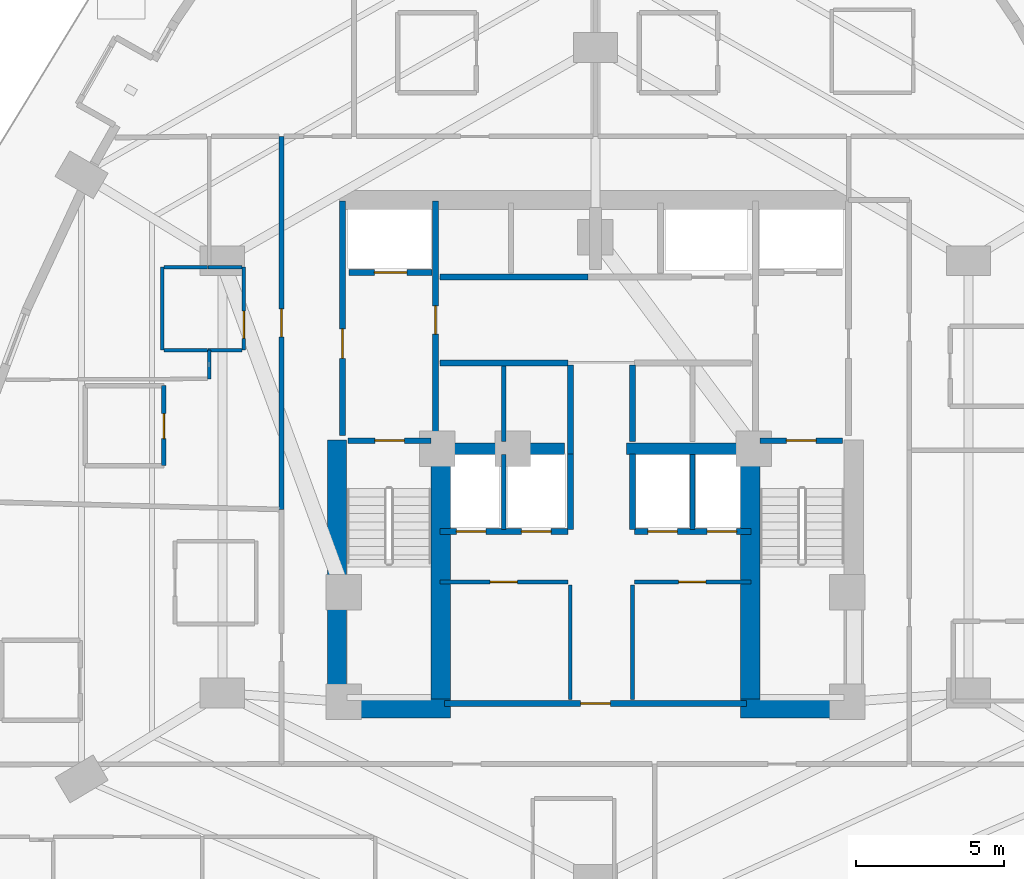
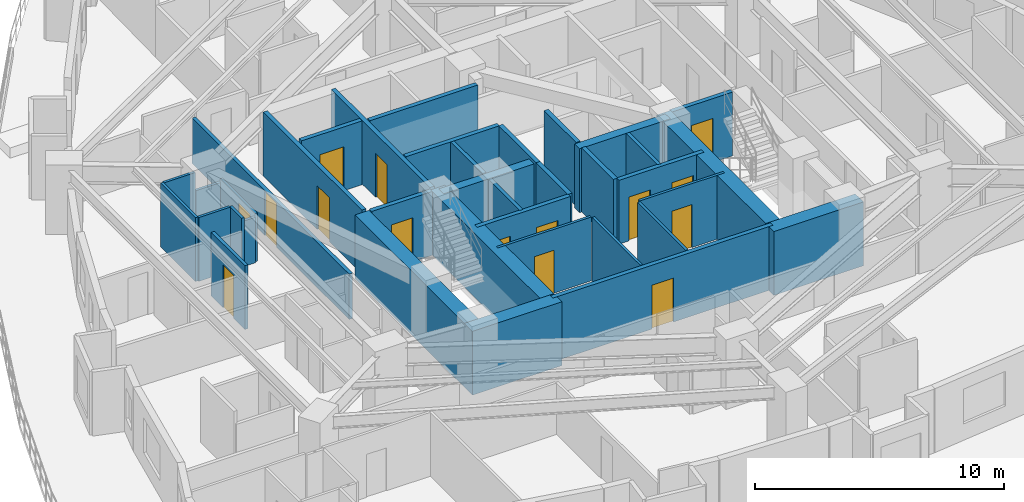
# One storey, part 10 of 17: 37 walls, 15 doors, 15 openings.
"""IFC4 building model written with IfcOpenShell, lengths in metres."""

from ifc_helpers import new_model, si_unit, direction, frame, frame_2d, origin, place, context, subcontext, project, spatial, rectangle, extrude, material, layer, layer_set, type_object, element, fill, save


model = new_model("IFC4")

# Units and contexts
model_context = context("Model", 3, precision=1e-05, world=origin(), true_north=direction((0.0, 1.0)))
body_context = subcontext(model_context, "Body", "Model", "MODEL_VIEW")
ifc_project = project(units=[si_unit("LENGTHUNIT", "METRE"), si_unit("AREAUNIT", "SQUARE_METRE"), si_unit("VOLUMEUNIT", "CUBIC_METRE"), si_unit("PLANEANGLEUNIT", "RADIAN"), si_unit("MASSUNIT", "GRAM", prefix="KILO")], contexts=[model_context])

# Site, building, storey
site_placement = place(None, origin())
site = spatial("IfcSite", under=ifc_project, at=site_placement, CompositionType="ELEMENT")
building_placement = place(site_placement, origin())
building = spatial("IfcBuilding", under=site, at=building_placement, Name="Miruveldt Soraemaru", CompositionType="ELEMENT")
storey_placement = place(building_placement, frame((0.0, 0.0, 29.199951171875)))
storey = spatial("IfcBuildingStorey", under=building, at=storey_placement, Name="L07", CompositionType="ELEMENT", Elevation=29.199951171875)

# Walls
ifc_material_1 = material(Name="Concrete C70/85 (70 MPa)", Category="concrete")
ifc_layer_1 = layer(ifc_material_1, 0.5, Name="Concrete C70/85 (70 MPa)", Category="concrete")
ifc_layer_set_1 = layer_set([ifc_layer_1], Name="Concrete C70/85 (70 MPa)")
wall_type_1 = type_object("IfcWallType", Name="WALL-BW-500", PredefinedType="SHEAR", material=ifc_layer_set_1)
for number, where, z_axis, x_axis, name in (
    (1, (38.75, 44.050048828125, 0.0), (0.0, 0.0, 1.0), (1.0, 0.0, 0.0), "L07 Core Buttress Shear Wall BW"),
    (2, (45.050048828125, 44.050048828125, 0.0), (0.0, 0.0, 1.0), (1.0, 0.0, 0.0), "L07 Core Buttress Shear Wall BE"),
):
    element("IfcWall", number, at=place(storey_placement, frame(where, z_axis=z_axis, x_axis=x_axis)), inside=storey, type_object=wall_type_1, Name=name, PredefinedType="SHEAR", context=body_context, shape_type="SweptSolid", body=[
        extrude(rectangle(XDim=4.199951171875, YDim=0.39990234375, at=frame_2d((2.10009765625, 0.0))), origin(), (0.0, 0.0, 1.0), 3.125),
    ])
ifc_material_2 = material(Name="Concrete C80/95 (80 MPa)", Category="concrete")
ifc_layer_2 = layer(ifc_material_2, 0.64990234375, Name="Concrete C80/95 (80 MPa)", Category="concrete")
ifc_layer_set_2 = layer_set([ifc_layer_2], Name="Concrete C80/95 (80 MPa)")
wall_type_2 = type_object("IfcWallType", Name="WALL-CW-650", PredefinedType="SHEAR", material=ifc_layer_set_2)
for number, where, z_axis, x_axis, name in (
    (3, (34.949951171875, 35.27490234375, 0.0), (0.0, 0.0, 1.0), (1.0, 0.0, 0.0), "L07 Central Core Shear Wall S1"),
    (4, (48.89990234375, 35.27490234375, 0.0), (0.0, 0.0, 1.0), (1.0, 0.0, 0.0), "L07 Central Core Shear Wall S2"),
):
    element("IfcWall", number, at=place(storey_placement, frame(where, z_axis=z_axis, x_axis=x_axis)), inside=storey, type_object=wall_type_2, Name=name, PredefinedType="SHEAR", context=body_context, shape_type="SweptSolid", body=[
        extrude(rectangle(XDim=4.150146484375, YDim=0.64990234375, at=frame_2d((2.0751953125, 0.0))), origin(), (0.0, 0.0, 1.0), 3.125),
    ])
wall_1_placement = place(storey_placement, frame((35.27490234375, 34.949951171875, 0.0), z_axis=(0.0, 0.0, 1.0), x_axis=(0.0, 1.0, 0.0)))
element("IfcWall", 5, at=wall_1_placement, inside=storey, type_object=wall_type_2, Name="L07 Central Core Shear Wall W1", PredefinedType="SHEAR", context=body_context, shape_type="SweptSolid", body=[
    extrude(rectangle(XDim=9.400146484375, YDim=0.64990234375, at=frame_2d((4.7001953125, 0.0))), origin(), (0.0, 0.0, 1.0), 3.125),
])
for number, where, z_axis, x_axis, name in (
    (6, (38.77490234375, 35.39990234375, 0.0), (0.0, 0.0, 1.0), (0.0, 1.0, 0.0), "L07 Central Core Shear Wall SW-INT"),
    (7, (49.22509765625, 35.39990234375, 0.0), (0.0, 0.0, 1.0), (0.0, 1.0, 0.0), "L07 Central Core Shear Wall SE-INT"),
):
    element("IfcWall", number, at=place(storey_placement, frame(where, z_axis=z_axis, x_axis=x_axis)), inside=storey, type_object=wall_type_2, Name=name, PredefinedType="SHEAR", context=body_context, shape_type="SweptSolid", body=[
        extrude(rectangle(XDim=8.9501953125, YDim=0.64990234375, at=frame_2d((4.47509765625, 0.0))), origin(), (0.0, 0.0, 1.0), 3.125),
    ])

# Wall, opening, door
ifc_material_3 = material(Name="Gypsum plasterboard lining", Category="gypsum")
ifc_layer_3 = layer(ifc_material_3, 0.1201171875, Name="Gypsum plasterboard lining", Category="gypsum")
ifc_layer_set_3 = layer_set([ifc_layer_3], Name="Gypsum plasterboard lining")
wall_type_3 = type_object("IfcWallType", Name="WALL-INT-P120", PredefinedType="PARTITIONING", material=ifc_layer_set_3)
wall_2_placement = place(storey_placement, frame((38.75, 39.550048828125, 0.0), z_axis=(0.0, 0.0, 1.0), x_axis=(1.0, 0.0, 0.0)))
wall_2 = element("IfcWall", 8, at=wall_2_placement, inside=storey, type_object=wall_type_3, Name="L07 Core Compartment Wall CSW-N", PredefinedType="PARTITIONING", context=body_context, shape_type="SweptSolid", body=[
    extrude(rectangle(XDim=4.330078125, YDim=0.1201171875, at=frame_2d((2.1650390625, 0.0))), origin(), (0.0, 0.0, 1.0), 3.125),
])
opening_1_placement = place(wall_2_placement, frame((1.68994140625, 0.0, 0.0)))
opening_1 = element("IfcOpeningElement", 9, at=opening_1_placement, cuts=wall_2, Name="Opening D3A", PredefinedType="OPENING", context=body_context, shape_type="SweptSolid", body=[
    extrude(rectangle(XDim=0.919921875, YDim=2.10009765625, at=frame_2d((0.4599609375, 1.050048828125))), frame((0.0, 0.070068359375, 0.0), z_axis=(0.0, -1.0, 0.0), x_axis=(1.0, 0.0, 0.0)), (0.0, 0.0, 1.0), 0.14013671875),
])
ifc_material_4 = material(Name="Anodised aluminium EN AW-6063 T6", Category="aluminium")
door_type_1 = type_object("IfcDoorType", Name="DOOR-INT-920", OperationType="NOTDEFINED", PredefinedType="DOOR", material=ifc_material_4)
door_1_placement = place(opening_1_placement, origin())
door_1 = element("IfcDoor", 10, at=door_1_placement, inside=storey, type_object=door_type_1, Name="L07 Fire Door", OperationType="SINGLE_SWING_LEFT", OverallHeight=2.10009765625, OverallWidth=0.919921875, PredefinedType="DOOR", context=body_context, shape_type="SweptSolid", body=[
    extrude(rectangle(XDim=0.919921875, YDim=2.10009765625, at=frame_2d((0.4599609375, 1.050048828125))), frame((0.0, 0.02490234375, 0.0), z_axis=(0.0, -1.0, 0.0), x_axis=(1.0, 0.0, 0.0)), (0.0, 0.0, 1.0), 0.050048828125),
])
fill(opening_1, door_1)

wall_3_placement = place(storey_placement, frame((45.320068359375, 39.550048828125, 0.0), z_axis=(0.0, 0.0, 1.0), x_axis=(1.0, 0.0, 0.0)))
wall_3 = element("IfcWall", 11, at=wall_3_placement, inside=storey, type_object=wall_type_3, Name="L07 Core Compartment Wall CSE-N", PredefinedType="PARTITIONING", context=body_context, shape_type="SweptSolid", body=[
    extrude(rectangle(XDim=3.929931640625, YDim=0.1201171875, at=frame_2d((1.96484375, 0.0))), origin(), (0.0, 0.0, 1.0), 3.125),
])
opening_2_placement = place(wall_3_placement, frame((1.489990234375, 0.0, 0.0)))
opening_2 = element("IfcOpeningElement", 12, at=opening_2_placement, cuts=wall_3, Name="Opening D3A", PredefinedType="OPENING", context=body_context, shape_type="SweptSolid", body=[
    extrude(rectangle(XDim=0.919921875, YDim=2.10009765625, at=frame_2d((0.4599609375, 1.050048828125))), frame((0.0, 0.070068359375, 0.0), z_axis=(0.0, -1.0, 0.0), x_axis=(1.0, 0.0, 0.0)), (0.0, 0.0, 1.0), 0.14013671875),
])
door_2_placement = place(opening_2_placement, origin())
door_2 = element("IfcDoor", 13, at=door_2_placement, inside=storey, type_object=door_type_1, Name="L07 Fire Door", OperationType="SINGLE_SWING_LEFT", OverallHeight=2.10009765625, OverallWidth=0.919921875, PredefinedType="DOOR", context=body_context, shape_type="SweptSolid", body=[
    extrude(rectangle(XDim=0.919921875, YDim=2.10009765625, at=frame_2d((0.4599609375, 1.050048828125))), frame((0.0, 0.02490234375, 0.0), z_axis=(0.0, -1.0, 0.0), x_axis=(1.0, 0.0, 0.0)), (0.0, 0.0, 1.0), 0.050048828125),
])
fill(opening_2, door_2)

wall_4_placement = place(storey_placement, frame((32.1220703125, 47.3798828125, 0.0), z_axis=(0.0, 0.0, 1.0), x_axis=(0.0, 1.0, 0.0)))
wall_4 = element("IfcWall", 14, at=wall_4_placement, inside=storey, type_object=wall_type_3, Name="L07 Partition Wall 45", PredefinedType="PARTITIONING", context=body_context, shape_type="SweptSolid", body=[
    extrude(rectangle(XDim=2.800048828125, YDim=0.1201171875, at=frame_2d((1.39990234375, 0.0))), origin(), (0.0, 0.0, 1.0), 2.363037109375),
])
opening_3_placement = place(wall_4_placement, frame((0.39990234375, 0.0, 0.0)))
opening_3 = element("IfcOpeningElement", 15, at=opening_3_placement, cuts=wall_4, Name="Opening D3A", PredefinedType="OPENING", context=body_context, shape_type="SweptSolid", body=[
    extrude(rectangle(XDim=0.919921875, YDim=2.10009765625, at=frame_2d((0.4599609375, 1.050048828125))), frame((0.0, 0.070068359375, 0.0), z_axis=(0.0, -1.0, 0.0), x_axis=(1.0, 0.0, 0.0)), (0.0, 0.0, 1.0), 0.14013671875),
])
door_3_placement = place(opening_3_placement, origin())
door_3 = element("IfcDoor", 16, at=door_3_placement, inside=storey, type_object=door_type_1, Name="L07 Unit 0704 KIT Door", OperationType="SINGLE_SWING_RIGHT", OverallHeight=2.10009765625, OverallWidth=0.919921875, PredefinedType="DOOR", context=body_context, shape_type="SweptSolid", body=[
    extrude(rectangle(XDim=0.919921875, YDim=2.10009765625, at=frame_2d((0.4599609375, 1.050048828125))), frame((0.0, 0.02490234375, 0.0), z_axis=(0.0, -1.0, 0.0), x_axis=(1.0, 0.0, 0.0)), (0.0, 0.0, 1.0), 0.050048828125),
])
fill(opening_3, door_3)

# Walls
for number, where, z_axis, x_axis, name in (
    (17, (43.14990234375, 35.580078125, 0.0), (0.0, 0.0, 1.0), (0.0, 1.0, 0.0), "L07 Core Compartment Wall SP-WS"),
    (18, (45.25, 35.580078125, 0.0), (0.0, 0.0, 1.0), (0.0, 1.0, 0.0), "L07 Core Compartment Wall SP-ES"),
):
    element("IfcWall", number, at=place(storey_placement, frame(where, z_axis=z_axis, x_axis=x_axis)), inside=storey, type_object=wall_type_3, Name=name, PredefinedType="PARTITIONING", context=body_context, shape_type="SweptSolid", body=[
        extrude(rectangle(XDim=3.869873046875, YDim=0.1201171875, at=frame_2d((1.93505859375, 0.0))), origin(), (0.0, 0.0, 1.0), 3.125),
    ])
wall_5_placement = place(storey_placement, frame((29.3720703125, 50.179931640625, 0.0), z_axis=(0.0, 0.0, 1.0), x_axis=(0.0, -1.0, 0.0)))
element("IfcWall", 19, at=wall_5_placement, inside=storey, type_object=wall_type_3, Name="L07 Partition Wall 53", PredefinedType="PARTITIONING", context=body_context, shape_type="SweptSolid", body=[
    extrude(rectangle(XDim=2.800048828125, YDim=0.1201171875, at=frame_2d((1.39990234375, 0.0))), origin(), (0.0, 0.0, 1.0), 3.125),
])
for number, where, z_axis, x_axis, name in (
    (20, (30.889892578125, 50.179931640625, 0.0), (0.0, 0.0, 1.0), (-1.0, 0.0, 0.0), "L07 Partition Wall 52"),
    (21, (29.431884765625, 47.3798828125, 0.0), (0.0, 0.0, 1.0), (1.0, 0.0, 0.0), "L07 Partition Wall 54"),
):
    element("IfcWall", number, at=place(storey_placement, frame(where, z_axis=z_axis, x_axis=x_axis)), inside=storey, type_object=wall_type_3, Name=name, PredefinedType="PARTITIONING", context=body_context, shape_type="SweptSolid", body=[
        extrude(rectangle(XDim=1.4580078125, YDim=0.1201171875, at=frame_2d((0.72900390625, 0.0))), origin(), (0.0, 0.0, 1.0), 3.125),
    ])
for number, where, z_axis, x_axis, name in (
    (22, (32.06201171875, 50.179931640625, 0.0), (0.0, 0.0, 1.0), (-1.0, 0.0, 0.0), "L07 Partition Wall 46"),
    (23, (30.919921875, 47.3798828125, 0.0), (0.0, 0.0, 1.0), (1.0, 0.0, 0.0), "L07 Partition Wall 47"),
):
    element("IfcWall", number, at=place(storey_placement, frame(where, z_axis=z_axis, x_axis=x_axis)), inside=storey, type_object=wall_type_3, Name=name, PredefinedType="PARTITIONING", context=body_context, shape_type="SweptSolid", body=[
        extrude(rectangle(XDim=1.14208984375, YDim=0.1201171875, at=frame_2d((0.571044921875, 0.0))), origin(), (0.0, 0.0, 1.0), 2.219970703125),
    ])
wall_6_placement = place(storey_placement, frame((30.949951171875, 47.3798828125, 0.0), z_axis=(0.0, 0.0, 1.0), x_axis=(0.0, -1.0, 0.0)))
element("IfcWall", 24, at=wall_6_placement, inside=storey, type_object=wall_type_3, Name="L07 Partition Wall 49", PredefinedType="PARTITIONING", context=body_context, shape_type="SweptSolid", body=[
    extrude(rectangle(XDim=0.969970703125, YDim=0.1201171875, at=frame_2d((0.48486328125, 0.0))), origin(), (0.0, 0.0, 1.0), 3.125),
])

# Wall, opening, door
ifc_layer_4 = layer(ifc_material_3, 0.14990234375, Name="Gypsum plasterboard lining", Category="gypsum")
ifc_layer_set_4 = layer_set([ifc_layer_4], Name="Gypsum plasterboard lining")
wall_type_4 = type_object("IfcWallType", Name="WALL-INT-PLUMB", PredefinedType="PLUMBINGWALL", material=ifc_layer_set_4)
wall_7_placement = place(storey_placement, frame((29.422119140625, 43.47998046875, 0.0), z_axis=(0.0, 0.0, 1.0), x_axis=(0.0, 1.0, 0.0)))
wall_7 = element("IfcWall", 25, at=wall_7_placement, inside=storey, type_object=wall_type_4, Name="L07 Partition Wall 41", PredefinedType="PLUMBINGWALL", context=body_context, shape_type="SweptSolid", body=[
    extrude(rectangle(XDim=2.699951171875, YDim=0.14990234375, at=frame_2d((1.35009765625, 0.0))), origin(), (0.0, 0.0, 1.0), 3.125),
])
opening_4_placement = place(wall_7_placement, frame((0.909912109375, 0.0, 0.0)))
opening_4 = element("IfcOpeningElement", 26, at=opening_4_placement, cuts=wall_7, Name="Opening FD3", PredefinedType="OPENING", context=body_context, shape_type="SweptSolid", body=[
    extrude(rectangle(XDim=0.85009765625, YDim=2.10009765625, at=frame_2d((0.425048828125, 1.050048828125))), frame((0.0, 0.0849609375, 0.0), z_axis=(0.0, -1.0, 0.0), x_axis=(1.0, 0.0, 0.0)), (0.0, 0.0, 1.0), 0.169921875),
])
door_type_2 = type_object("IfcDoorType", Name="DOOR-FD3-850", OperationType="NOTDEFINED", PredefinedType="DOOR", material=ifc_material_4)
door_4_placement = place(opening_4_placement, origin())
door_4 = element("IfcDoor", 27, at=door_4_placement, inside=storey, type_object=door_type_2, Name="L07 Unit 0704 BTH Door", OperationType="SINGLE_SWING_LEFT", OverallHeight=2.10009765625, OverallWidth=0.85009765625, PredefinedType="DOOR", context=body_context, shape_type="SweptSolid", body=[
    extrude(rectangle(XDim=0.85009765625, YDim=2.10009765625, at=frame_2d((0.425048828125, 1.050048828125))), frame((0.0, 0.02490234375, 0.0), z_axis=(0.0, -1.0, 0.0), x_axis=(1.0, 0.0, 0.0)), (0.0, 0.0, 1.0), 0.050048828125),
])
fill(opening_4, door_4)

ifc_material_5 = material(Name="Concrete C40/50 (40 MPa)", Category="concrete")
ifc_layer_5 = layer(ifc_material_5, 0.159912109375, Name="Concrete C40/50 (40 MPa)", Category="concrete")
ifc_layer_set_5 = layer_set([ifc_layer_5], Name="Concrete C40/50 (40 MPa)")
wall_type_5 = type_object("IfcWallType", Name="WALL-INT-RC160", PredefinedType="SOLIDWALL", material=ifc_layer_set_5)
wall_8_placement = place(storey_placement, frame((33.39990234375, 54.60009765625, 0.0), z_axis=(0.0, 0.0, 1.0), x_axis=(0.0, -1.0, 0.0)))
wall_8 = element("IfcWall", 28, at=wall_8_placement, inside=storey, type_object=wall_type_5, Name="L07 Partition Wall 4", PredefinedType="SOLIDWALL", context=body_context, shape_type="SweptSolid", body=[
    extrude(rectangle(XDim=12.60009765625, YDim=0.159912109375, at=frame_2d((6.300048828125, 0.0))), origin(), (0.0, 0.0, 1.0), 2.219970703125),
])
opening_5_placement = place(wall_8_placement, frame((5.824951171875, 0.0, 0.0)))
opening_5 = element("IfcOpeningElement", 29, at=opening_5_placement, cuts=wall_8, Name="Opening FD2", PredefinedType="OPENING", context=body_context, shape_type="SweptSolid", body=[
    extrude(rectangle(XDim=0.949951171875, YDim=2.14990234375, at=frame_2d((0.47509765625, 1.074951171875))), frame((0.0, 0.08984375, 0.0), z_axis=(0.0, -1.0, 0.0), x_axis=(1.0, 0.0, 0.0)), (0.0, 0.0, 1.0), 0.179931640625),
])
door_type_3 = type_object("IfcDoorType", Name="DOOR-FD2-950", OperationType="NOTDEFINED", PredefinedType="DOOR", material=ifc_material_4)
door_5_placement = place(opening_5_placement, origin())
door_5 = element("IfcDoor", 30, at=door_5_placement, inside=storey, type_object=door_type_3, Name="L07 Unit 0704 Entrance Fire Door", OperationType="SINGLE_SWING_RIGHT", OverallHeight=2.14990234375, OverallWidth=0.949951171875, PredefinedType="DOOR", context=body_context, shape_type="SweptSolid", body=[
    extrude(rectangle(XDim=0.949951171875, YDim=2.14990234375, at=frame_2d((0.47509765625, 1.074951171875))), frame((0.0, 0.02490234375, 0.0), z_axis=(0.0, -1.0, 0.0), x_axis=(1.0, 0.0, 0.0)), (0.0, 0.0, 1.0), 0.050048828125),
])
fill(opening_5, door_5)

# Walls
wall_9_placement = place(storey_placement, frame((40.89990234375, 44.300048828125, 0.0), z_axis=(0.0, 0.0, 1.0), x_axis=(0.0, 1.0, 0.0)))
element("IfcWall", 31, at=wall_9_placement, inside=storey, type_object=wall_type_5, Name="L07 Core Compartment Wall PLM-DW", PredefinedType="SOLIDWALL", context=body_context, shape_type="SweptSolid", body=[
    extrude(rectangle(XDim=2.550048828125, YDim=0.159912109375, at=frame_2d((1.27490234375, 0.0))), origin(), (0.0, 0.0, 1.0), 3.125),
])
for number, where, z_axis, x_axis, name in (
    (32, (40.89990234375, 41.320068359375, 0.0), (0.0, 0.0, 1.0), (0.0, 1.0, 0.0), "L07 Core Compartment Wall PLL-DW"),
    (33, (47.280029296875, 41.320068359375, 0.0), (0.0, 0.0, 1.0), (0.0, 1.0, 0.0), "L07 Core Compartment Wall PLL-DE"),
):
    element("IfcWall", number, at=place(storey_placement, frame(where, z_axis=z_axis, x_axis=x_axis)), inside=storey, type_object=wall_type_5, Name=name, PredefinedType="SOLIDWALL", context=body_context, shape_type="SweptSolid", body=[
        extrude(rectangle(XDim=2.530029296875, YDim=0.159912109375, at=frame_2d((1.26513671875, 0.0))), origin(), (0.0, 0.0, 1.0), 3.125),
    ])

# Wall, opening, door
ifc_layer_6 = layer(ifc_material_5, 0.199951171875, Name="Concrete C40/50 (40 MPa)", Category="concrete")
ifc_layer_set_6 = layer_set([ifc_layer_6], Name="Concrete C40/50 (40 MPa)")
wall_type_6 = type_object("IfcWallType", Name="WALL-INT-RC200", PredefinedType="SOLIDWALL", material=ifc_layer_set_6)
wall_10_placement = place(storey_placement, frame((38.89990234375, 35.449951171875, 0.0), z_axis=(0.0, 0.0, 1.0), x_axis=(1.0, 0.0, 0.0)))
wall_10 = element("IfcWall", 34, at=wall_10_placement, inside=storey, type_object=wall_type_6, Name="L07 Core Compartment Wall CS-S", PredefinedType="SOLIDWALL", context=body_context, shape_type="SweptSolid", body=[
    extrude(rectangle(XDim=10.2001953125, YDim=0.199951171875, at=frame_2d((5.10009765625, 0.0))), origin(), (0.0, 0.0, 1.0), 3.125),
])
opening_6_placement = place(wall_10_placement, frame((4.60009765625, 0.0, 0.0)))
opening_6 = element("IfcOpeningElement", 35, at=opening_6_placement, cuts=wall_10, Name="Opening FD1", PredefinedType="OPENING", context=body_context, shape_type="SweptSolid", body=[
    extrude(rectangle(XDim=1.0, YDim=2.14990234375, at=frame_2d((0.5, 1.074951171875))), frame((0.0, 0.10986328125, 0.0), z_axis=(0.0, -1.0, 0.0), x_axis=(1.0, 0.0, 0.0)), (0.0, 0.0, 1.0), 0.219970703125),
])
door_type_4 = type_object("IfcDoorType", Name="DOOR-FD1-1000", OperationType="NOTDEFINED", PredefinedType="DOOR", material=ifc_material_4)
door_6_placement = place(opening_6_placement, origin())
door_6 = element("IfcDoor", 36, at=door_6_placement, inside=storey, type_object=door_type_4, Name="L07 Core South Lobby Fire Door", OperationType="SINGLE_SWING_LEFT", OverallHeight=2.14990234375, OverallWidth=1.0, PredefinedType="DOOR", context=body_context, shape_type="SweptSolid", body=[
    extrude(rectangle(XDim=1.0, YDim=2.14990234375, at=frame_2d((0.5, 1.074951171875))), frame((0.0, 0.02490234375, 0.0), z_axis=(0.0, -1.0, 0.0), x_axis=(1.0, 0.0, 0.0)), (0.0, 0.0, 1.0), 0.050048828125),
])
fill(opening_6, door_6)

wall_11_placement = place(storey_placement, frame((35.449951171875, 44.5, 0.0), z_axis=(0.0, 0.0, 1.0), x_axis=(0.0, 1.0, 0.0)))
wall_11 = element("IfcWall", 37, at=wall_11_placement, inside=storey, type_object=wall_type_6, Name="L07 Core Compartment Wall FFW-OUT", PredefinedType="SOLIDWALL", context=body_context, shape_type="SweptSolid", body=[
    extrude(rectangle(XDim=7.919921875, YDim=0.199951171875, at=frame_2d((3.9599609375, 0.0))), origin(), (0.0, 0.0, 1.0), 3.125),
])
opening_7_placement = place(wall_11_placement, frame((2.60009765625, 0.0, 0.0)))
opening_7 = element("IfcOpeningElement", 38, at=opening_7_placement, cuts=wall_11, Name="Opening FD1", PredefinedType="OPENING", context=body_context, shape_type="SweptSolid", body=[
    extrude(rectangle(XDim=1.0, YDim=2.14990234375, at=frame_2d((0.5, 1.074951171875))), frame((0.0, 0.10986328125, 0.0), z_axis=(0.0, -1.0, 0.0), x_axis=(1.0, 0.0, 0.0)), (0.0, 0.0, 1.0), 0.219970703125),
])
door_7_placement = place(opening_7_placement, origin())
door_7 = element("IfcDoor", 39, at=door_7_placement, inside=storey, type_object=door_type_4, Name="L07 West Firefighting Lobby Exit Door", OperationType="SINGLE_SWING_LEFT", OverallHeight=2.14990234375, OverallWidth=1.0, PredefinedType="DOOR", context=body_context, shape_type="SweptSolid", body=[
    extrude(rectangle(XDim=1.0, YDim=2.14990234375, at=frame_2d((0.5, 1.074951171875))), frame((0.0, 0.02490234375, 0.0), z_axis=(0.0, -1.0, 0.0), x_axis=(1.0, 0.0, 0.0)), (0.0, 0.0, 1.0), 0.050048828125),
])
fill(opening_7, door_7)

wall_12_placement = place(storey_placement, frame((38.60009765625, 44.5, 0.0), z_axis=(0.0, 0.0, 1.0), x_axis=(0.0, 1.0, 0.0)))
wall_12 = element("IfcWall", 40, at=wall_12_placement, inside=storey, type_object=wall_type_6, Name="L07 Core Compartment Wall FFW-IN", PredefinedType="SOLIDWALL", context=body_context, shape_type="SweptSolid", body=[
    extrude(rectangle(XDim=7.919921875, YDim=0.199951171875, at=frame_2d((3.9599609375, 0.0))), origin(), (0.0, 0.0, 1.0), 3.125),
])
opening_8_placement = place(wall_12_placement, frame((3.425048828125, 0.0, 0.0)))
opening_8 = element("IfcOpeningElement", 41, at=opening_8_placement, cuts=wall_12, Name="Opening FD2", PredefinedType="OPENING", context=body_context, shape_type="SweptSolid", body=[
    extrude(rectangle(XDim=0.949951171875, YDim=2.14990234375, at=frame_2d((0.47509765625, 1.074951171875))), frame((0.0, 0.10986328125, 0.0), z_axis=(0.0, -1.0, 0.0), x_axis=(1.0, 0.0, 0.0)), (0.0, 0.0, 1.0), 0.219970703125),
])
door_8_placement = place(opening_8_placement, frame((0.949951171875, 0.0, 0.0), z_axis=(0.0, 0.0, 1.0), x_axis=(-1.0, 0.0, 0.0)))
door_8 = element("IfcDoor", 42, at=door_8_placement, inside=storey, type_object=door_type_3, Name="L07 Lift Lobby to West Fire Lobby Door", OperationType="SINGLE_SWING_RIGHT", OverallHeight=2.14990234375, OverallWidth=0.949951171875, PredefinedType="DOOR", context=body_context, shape_type="SweptSolid", body=[
    extrude(rectangle(XDim=0.949951171875, YDim=2.14990234375, at=frame_2d((0.47509765625, 1.074951171875))), frame((0.0, 0.02490234375, 0.0), z_axis=(0.0, -1.0, 0.0), x_axis=(1.0, 0.0, 0.0)), (0.0, 0.0, 1.0), 0.050048828125),
])
fill(opening_8, door_8)

# Wall, openings, doors
wall_13_placement = place(storey_placement, frame((38.75, 41.25, 0.0), z_axis=(0.0, 0.0, 1.0), x_axis=(1.0, 0.0, 0.0)))
wall_13 = element("IfcWall", 43, at=wall_13_placement, inside=storey, type_object=wall_type_6, Name="L07 Core Compartment Wall LBW-S", PredefinedType="SOLIDWALL", context=body_context, shape_type="SweptSolid", body=[
    extrude(rectangle(XDim=4.330078125, YDim=0.199951171875, at=frame_2d((2.1650390625, 0.0))), origin(), (0.0, 0.0, 1.0), 3.125),
])
opening_9_placement = place(wall_13_placement, frame((0.550048828125, 0.0, 0.0)))
opening_9 = element("IfcOpeningElement", 44, at=opening_9_placement, cuts=wall_13, Name="Opening LD1B", PredefinedType="OPENING", context=body_context, shape_type="SweptSolid", body=[
    extrude(rectangle(XDim=1.0, YDim=2.14990234375, at=frame_2d((0.5, 1.074951171875))), frame((0.0, 0.10986328125, 0.0), z_axis=(0.0, -1.0, 0.0), x_axis=(1.0, 0.0, 0.0)), (0.0, 0.0, 1.0), 0.219970703125),
])
opening_10_placement = place(wall_13_placement, frame((2.75, 0.0, 0.0)))
opening_10 = element("IfcOpeningElement", 45, at=opening_10_placement, cuts=wall_13, Name="Opening LD1B", PredefinedType="OPENING", context=body_context, shape_type="SweptSolid", body=[
    extrude(rectangle(XDim=1.0, YDim=2.14990234375, at=frame_2d((0.5, 1.074951171875))), frame((0.0, 0.10986328125, 0.0), z_axis=(0.0, -1.0, 0.0), x_axis=(1.0, 0.0, 0.0)), (0.0, 0.0, 1.0), 0.219970703125),
])
door_type_5 = type_object("IfcDoorType", Name="DOOR-LD1-1000", OperationType="SLIDING_TO_LEFT", PredefinedType="DOOR", material=ifc_material_4)
door_9_placement = place(opening_9_placement, frame((1.0, 0.0, 0.0), z_axis=(0.0, 0.0, 1.0), x_axis=(-1.0, 0.0, 0.0)))
door_9 = element("IfcDoor", 46, at=door_9_placement, inside=storey, type_object=door_type_5, Name="L07 PL-L1 Landing Door", OperationType="SLIDING_TO_LEFT", OverallHeight=2.14990234375, OverallWidth=1.0, PredefinedType="DOOR", context=body_context, shape_type="SweptSolid", body=[
    extrude(rectangle(XDim=1.0, YDim=2.14990234375, at=frame_2d((0.5, 1.074951171875))), frame((0.0, 0.02490234375, 0.0), z_axis=(0.0, -1.0, 0.0), x_axis=(1.0, 0.0, 0.0)), (0.0, 0.0, 1.0), 0.050048828125),
])
fill(opening_9, door_9)
door_10_placement = place(opening_10_placement, frame((1.0, 0.0, 0.0), z_axis=(0.0, 0.0, 1.0), x_axis=(-1.0, 0.0, 0.0)))
door_10 = element("IfcDoor", 47, at=door_10_placement, inside=storey, type_object=door_type_5, Name="L07 PL-L2 Landing Door", OperationType="SLIDING_TO_LEFT", OverallHeight=2.14990234375, OverallWidth=1.0, PredefinedType="DOOR", context=body_context, shape_type="SweptSolid", body=[
    extrude(rectangle(XDim=1.0, YDim=2.14990234375, at=frame_2d((0.5, 1.074951171875))), frame((0.0, 0.02490234375, 0.0), z_axis=(0.0, -1.0, 0.0), x_axis=(1.0, 0.0, 0.0)), (0.0, 0.0, 1.0), 0.050048828125),
])
fill(opening_10, door_10)

wall_14_placement = place(storey_placement, frame((45.320068359375, 41.25, 0.0), z_axis=(0.0, 0.0, 1.0), x_axis=(1.0, 0.0, 0.0)))
wall_14 = element("IfcWall", 48, at=wall_14_placement, inside=storey, type_object=wall_type_6, Name="L07 Core Compartment Wall LBE-S", PredefinedType="SOLIDWALL", context=body_context, shape_type="SweptSolid", body=[
    extrude(rectangle(XDim=3.929931640625, YDim=0.199951171875, at=frame_2d((1.96484375, 0.0))), origin(), (0.0, 0.0, 1.0), 3.125),
])
opening_11_placement = place(wall_14_placement, frame((0.449951171875, 0.0, 0.0)))
opening_11 = element("IfcOpeningElement", 49, at=opening_11_placement, cuts=wall_14, Name="Opening LD1B", PredefinedType="OPENING", context=body_context, shape_type="SweptSolid", body=[
    extrude(rectangle(XDim=1.0, YDim=2.14990234375, at=frame_2d((0.5, 1.074951171875))), frame((0.0, 0.10986328125, 0.0), z_axis=(0.0, -1.0, 0.0), x_axis=(1.0, 0.0, 0.0)), (0.0, 0.0, 1.0), 0.219970703125),
])
opening_12_placement = place(wall_14_placement, frame((2.449951171875, 0.0, 0.0)))
opening_12 = element("IfcOpeningElement", 50, at=opening_12_placement, cuts=wall_14, Name="Opening LD1B", PredefinedType="OPENING", context=body_context, shape_type="SweptSolid", body=[
    extrude(rectangle(XDim=1.0, YDim=2.14990234375, at=frame_2d((0.5, 1.074951171875))), frame((0.0, 0.10986328125, 0.0), z_axis=(0.0, -1.0, 0.0), x_axis=(1.0, 0.0, 0.0)), (0.0, 0.0, 1.0), 0.219970703125),
])
door_11_placement = place(opening_11_placement, frame((1.0, 0.0, 0.0), z_axis=(0.0, 0.0, 1.0), x_axis=(-1.0, 0.0, 0.0)))
door_11 = element("IfcDoor", 51, at=door_11_placement, inside=storey, type_object=door_type_5, Name="L07 PL-L3 Landing Door", OperationType="SLIDING_TO_LEFT", OverallHeight=2.14990234375, OverallWidth=1.0, PredefinedType="DOOR", context=body_context, shape_type="SweptSolid", body=[
    extrude(rectangle(XDim=1.0, YDim=2.14990234375, at=frame_2d((0.5, 1.074951171875))), frame((0.0, 0.02490234375, 0.0), z_axis=(0.0, -1.0, 0.0), x_axis=(1.0, 0.0, 0.0)), (0.0, 0.0, 1.0), 0.050048828125),
])
fill(opening_11, door_11)
door_12_placement = place(opening_12_placement, frame((1.0, 0.0, 0.0), z_axis=(0.0, 0.0, 1.0), x_axis=(-1.0, 0.0, 0.0)))
door_12 = element("IfcDoor", 52, at=door_12_placement, inside=storey, type_object=door_type_5, Name="L07 PL-L4 Landing Door", OperationType="SLIDING_TO_LEFT", OverallHeight=2.14990234375, OverallWidth=1.0, PredefinedType="DOOR", context=body_context, shape_type="SweptSolid", body=[
    extrude(rectangle(XDim=1.0, YDim=2.14990234375, at=frame_2d((0.5, 1.074951171875))), frame((0.0, 0.02490234375, 0.0), z_axis=(0.0, -1.0, 0.0), x_axis=(1.0, 0.0, 0.0)), (0.0, 0.0, 1.0), 0.050048828125),
])
fill(opening_12, door_12)

# Wall, opening, door
wall_15_placement = place(storey_placement, frame((35.64990234375, 44.320068359375, 0.0), z_axis=(0.0, 0.0, 1.0), x_axis=(1.0, 0.0, 0.0)))
wall_15 = element("IfcWall", 53, at=wall_15_placement, inside=storey, type_object=wall_type_6, Name="L07 Core Compartment Wall ST1-N", PredefinedType="SOLIDWALL", context=body_context, shape_type="SweptSolid", body=[
    extrude(rectangle(XDim=2.800048828125, YDim=0.199951171875, at=frame_2d((1.39990234375, 0.0))), origin(), (0.0, 0.0, 1.0), 3.125),
])
opening_13_placement = place(wall_15_placement, frame((0.89990234375, 0.0, 0.0)))
opening_13 = element("IfcOpeningElement", 54, at=opening_13_placement, cuts=wall_15, Name="Opening FD1", PredefinedType="OPENING", context=body_context, shape_type="SweptSolid", body=[
    extrude(rectangle(XDim=1.0, YDim=2.14990234375, at=frame_2d((0.5, 1.074951171875))), frame((0.0, 0.10986328125, 0.0), z_axis=(0.0, -1.0, 0.0), x_axis=(1.0, 0.0, 0.0)), (0.0, 0.0, 1.0), 0.219970703125),
])
door_13_placement = place(opening_13_placement, frame((1.0, 0.0, 0.0), z_axis=(0.0, 0.0, 1.0), x_axis=(-1.0, 0.0, 0.0)))
door_13 = element("IfcDoor", 55, at=door_13_placement, inside=storey, type_object=door_type_4, Name="L07 Stair ST-1 Fire Door", OperationType="SINGLE_SWING_LEFT", OverallHeight=2.14990234375, OverallWidth=1.0, PredefinedType="DOOR", context=body_context, shape_type="SweptSolid", body=[
    extrude(rectangle(XDim=1.0, YDim=2.14990234375, at=frame_2d((0.5, 1.074951171875))), frame((0.0, 0.02490234375, 0.0), z_axis=(0.0, -1.0, 0.0), x_axis=(1.0, 0.0, 0.0)), (0.0, 0.0, 1.0), 0.050048828125),
])
fill(opening_13, door_13)

wall_16_placement = place(storey_placement, frame((49.550048828125, 44.320068359375, 0.0), z_axis=(0.0, 0.0, 1.0), x_axis=(1.0, 0.0, 0.0)))
wall_16 = element("IfcWall", 56, at=wall_16_placement, inside=storey, type_object=wall_type_6, Name="L07 Core Compartment Wall ST2-N", PredefinedType="SOLIDWALL", context=body_context, shape_type="SweptSolid", body=[
    extrude(rectangle(XDim=2.800048828125, YDim=0.199951171875, at=frame_2d((1.39990234375, 0.0))), origin(), (0.0, 0.0, 1.0), 3.125),
])
opening_14_placement = place(wall_16_placement, frame((0.89990234375, 0.0, 0.0)))
opening_14 = element("IfcOpeningElement", 57, at=opening_14_placement, cuts=wall_16, Name="Opening FD1", PredefinedType="OPENING", context=body_context, shape_type="SweptSolid", body=[
    extrude(rectangle(XDim=1.0, YDim=2.14990234375, at=frame_2d((0.5, 1.074951171875))), frame((0.0, 0.10986328125, 0.0), z_axis=(0.0, -1.0, 0.0), x_axis=(1.0, 0.0, 0.0)), (0.0, 0.0, 1.0), 0.219970703125),
])
door_14_placement = place(opening_14_placement, frame((1.0, 0.0, 0.0), z_axis=(0.0, 0.0, 1.0), x_axis=(-1.0, 0.0, 0.0)))
door_14 = element("IfcDoor", 58, at=door_14_placement, inside=storey, type_object=door_type_4, Name="L07 Stair ST-2 Fire Door", OperationType="SINGLE_SWING_RIGHT", OverallHeight=2.14990234375, OverallWidth=1.0, PredefinedType="DOOR", context=body_context, shape_type="SweptSolid", body=[
    extrude(rectangle(XDim=1.0, YDim=2.14990234375, at=frame_2d((0.5, 1.074951171875))), frame((0.0, 0.02490234375, 0.0), z_axis=(0.0, -1.0, 0.0), x_axis=(1.0, 0.0, 0.0)), (0.0, 0.0, 1.0), 0.050048828125),
])
fill(opening_14, door_14)

wall_17_placement = place(storey_placement, frame((35.679931640625, 50.0, 0.0), z_axis=(0.0, 0.0, 1.0), x_axis=(1.0, 0.0, 0.0)))
wall_17 = element("IfcWall", 59, at=wall_17_placement, inside=storey, type_object=wall_type_6, Name="L07 Core Compartment Wall FFL1-S", PredefinedType="SOLIDWALL", context=body_context, shape_type="SweptSolid", body=[
    extrude(rectangle(XDim=2.800048828125, YDim=0.199951171875, at=frame_2d((1.39990234375, 0.0))), origin(), (0.0, 0.0, 1.0), 3.125),
])
opening_15_placement = place(wall_17_placement, frame((0.85009765625, 0.0, 0.0)))
opening_15 = element("IfcOpeningElement", 60, at=opening_15_placement, cuts=wall_17, Name="Opening LD2", PredefinedType="OPENING", context=body_context, shape_type="SweptSolid", body=[
    extrude(rectangle(XDim=1.10009765625, YDim=2.14990234375, at=frame_2d((0.550048828125, 1.074951171875))), frame((0.0, 0.10986328125, 0.0), z_axis=(0.0, -1.0, 0.0), x_axis=(1.0, 0.0, 0.0)), (0.0, 0.0, 1.0), 0.219970703125),
])
door_type_6 = type_object("IfcDoorType", Name="DOOR-LD2-1100", OperationType="SLIDING_TO_LEFT", PredefinedType="DOOR", material=ifc_material_4)
door_15_placement = place(opening_15_placement, origin())
door_15 = element("IfcDoor", 61, at=door_15_placement, inside=storey, type_object=door_type_6, Name="L07 FFL-1 Landing Door", OperationType="SLIDING_TO_LEFT", OverallHeight=2.14990234375, OverallWidth=1.10009765625, PredefinedType="DOOR", context=body_context, shape_type="SweptSolid", body=[
    extrude(rectangle(XDim=1.10009765625, YDim=2.14990234375, at=frame_2d((0.550048828125, 1.074951171875))), frame((0.0, 0.02490234375, 0.0), z_axis=(0.0, -1.0, 0.0), x_axis=(1.0, 0.0, 0.0)), (0.0, 0.0, 1.0), 0.050048828125),
])
fill(opening_15, door_15)

# Walls
wall_18_placement = place(storey_placement, frame((38.75, 49.85009765625, 0.0), z_axis=(0.0, 0.0, 1.0), x_axis=(1.0, 0.0, 0.0)))
element("IfcWall", 62, at=wall_18_placement, inside=storey, type_object=wall_type_6, Name="L07 Core Compartment Wall ROWA-SW", PredefinedType="SOLIDWALL", context=body_context, shape_type="SweptSolid", body=[
    extrude(rectangle(XDim=5.0, YDim=0.199951171875, at=frame_2d((2.5, 0.0))), origin(), (0.0, 0.0, 1.0), 3.125),
])
wall_19_placement = place(storey_placement, frame((38.75, 46.949951171875, 0.0), z_axis=(0.0, 0.0, 1.0), x_axis=(1.0, 0.0, 0.0)))
element("IfcWall", 63, at=wall_19_placement, inside=storey, type_object=wall_type_6, Name="L07 Core Compartment Wall MBW-N", PredefinedType="SOLIDWALL", context=body_context, shape_type="SweptSolid", body=[
    extrude(rectangle(XDim=4.330078125, YDim=0.199951171875, at=frame_2d((2.1650390625, 0.0))), origin(), (0.0, 0.0, 1.0), 3.125),
])
wall_20_placement = place(storey_placement, frame((43.14990234375, 43.8798828125, 0.0), z_axis=(0.0, 0.0, 1.0), x_axis=(0.0, 1.0, 0.0)))
element("IfcWall", 64, at=wall_20_placement, inside=storey, type_object=wall_type_6, Name="L07 Core Compartment Wall SP-WB", PredefinedType="SOLIDWALL", context=body_context, shape_type="SweptSolid", body=[
    extrude(rectangle(XDim=3.0, YDim=0.199951171875, at=frame_2d((1.5, 0.0))), origin(), (0.0, 0.0, 1.0), 3.125),
])
wall_21_placement = place(storey_placement, frame((45.25, 44.300048828125, 0.0), z_axis=(0.0, 0.0, 1.0), x_axis=(0.0, 1.0, 0.0)))
element("IfcWall", 65, at=wall_21_placement, inside=storey, type_object=wall_type_6, Name="L07 Core Compartment Wall SP-EB", PredefinedType="SOLIDWALL", context=body_context, shape_type="SweptSolid", body=[
    extrude(rectangle(XDim=2.579833984375, YDim=0.199951171875, at=frame_2d((1.2900390625, 0.0))), origin(), (0.0, 0.0, 1.0), 3.125),
])
for number, where, z_axis, x_axis, name in (
    (66, (43.14990234375, 41.320068359375, 0.0), (0.0, 0.0, 1.0), (0.0, 1.0, 0.0), "L07 Core Compartment Wall SP-WC"),
    (67, (45.25, 41.320068359375, 0.0), (0.0, 0.0, 1.0), (0.0, 1.0, 0.0), "L07 Core Compartment Wall SP-EC"),
):
    element("IfcWall", number, at=place(storey_placement, frame(where, z_axis=z_axis, x_axis=x_axis)), inside=storey, type_object=wall_type_6, Name=name, PredefinedType="SOLIDWALL", context=body_context, shape_type="SweptSolid", body=[
        extrude(rectangle(XDim=2.559814453125, YDim=0.199951171875, at=frame_2d((1.27978515625, 0.0))), origin(), (0.0, 0.0, 1.0), 3.125),
    ])

save(model, "model.ifc")
